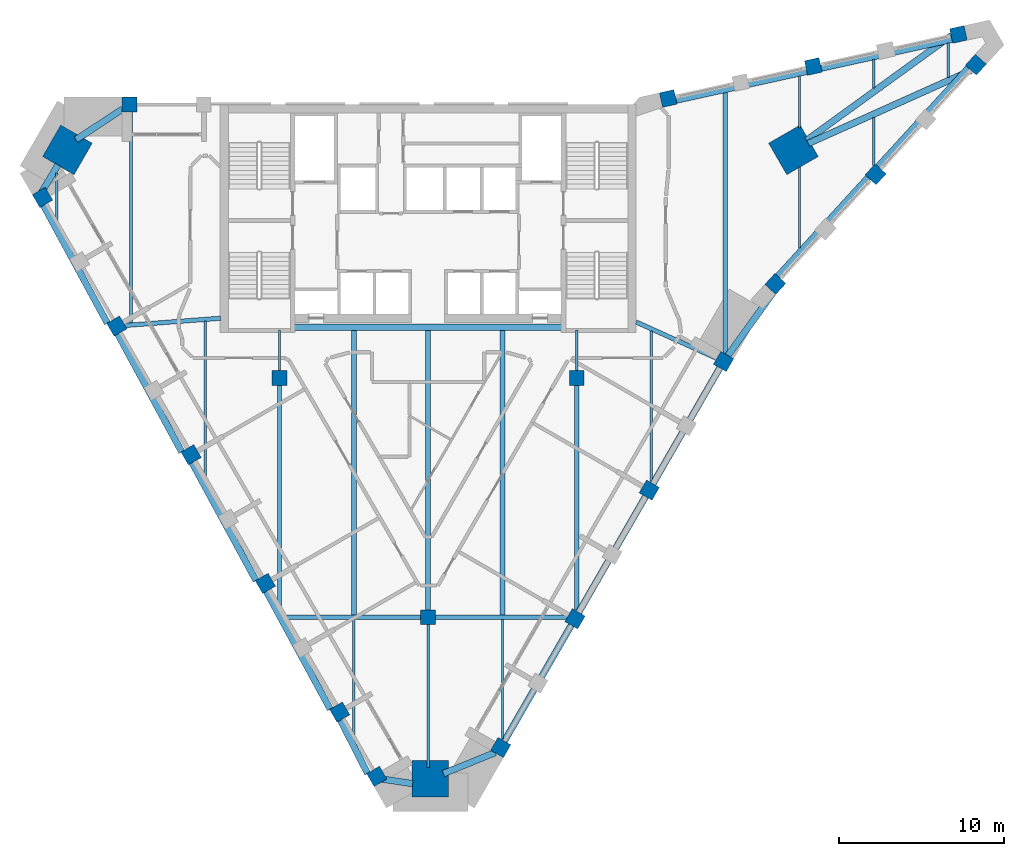
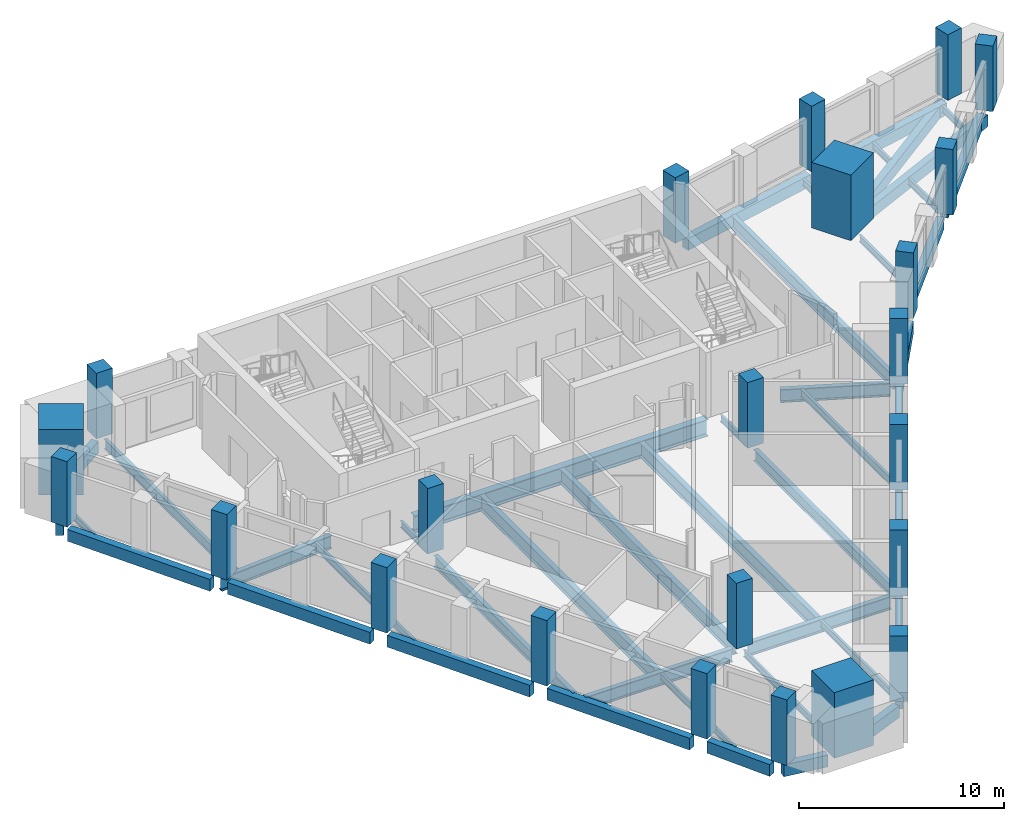
# One storey, part 1 of 8: 44 beams, 23 columns.
"""IFC4 building model written with IfcOpenShell, lengths in metres."""

from ifc_helpers import new_model, si_unit, direction, frame, origin, origin_2d, place, context, subcontext, project, spatial, rectangle, i_section, extrude, material, material_profile, profile_set, type_object, element, save


model = new_model("IFC4")

# Units and contexts
model_context = context("Model", 3, precision=1e-05, world=origin(), true_north=direction((0.0, 1.0)))
body_context = subcontext(model_context, "Body", "Model", "MODEL_VIEW")
ifc_project = project(units=[si_unit("LENGTHUNIT", "METRE"), si_unit("AREAUNIT", "SQUARE_METRE"), si_unit("VOLUMEUNIT", "CUBIC_METRE"), si_unit("PLANEANGLEUNIT", "RADIAN"), si_unit("MASSUNIT", "GRAM", prefix="KILO")], contexts=[model_context])

# Site, building, storey
site_placement = place(None, origin())
site = spatial("IfcSite", under=ifc_project, at=site_placement, CompositionType="ELEMENT")
building_placement = place(site_placement, origin())
building = spatial("IfcBuilding", under=site, at=building_placement, Name="Calabash Gate Tower", CompositionType="ELEMENT")
storey_placement = place(building_placement, frame((0.0, 0.0, 259.89990234375)))
storey = spatial("IfcBuildingStorey", under=building, at=storey_placement, Name="L62", CompositionType="ELEMENT", Elevation=259.89990234375)

# Columns
ifc_material_1 = material(Name="Concrete C60/75", Category="concrete")
ifc_material_profile_1 = material_profile(ifc_material_1, rectangle(XDim=0.89990234375, YDim=0.89990234375, at=origin_2d()))
ifc_profile_set_1 = profile_set([ifc_material_profile_1], Name="Concrete C60/75")
column_type_1 = type_object("IfcColumnType", Name="Interior column RC 900x900 Concrete C60/75", PredefinedType="COLUMN", material=ifc_profile_set_1)
for number, where, z_axis, x_axis, name in (
    (1, (-9.0, 2.5, 0.0), (0.0, 0.0, 1.0), (1.0, 0.0, 0.0), "Interior column L62 I0"),
    (2, (9.0, 2.5, 0.0), (0.0, 0.0, 1.0), (1.0, 0.0, 0.0), "Interior column L62 I1"),
    (3, (0.0, -12.0, 0.0), (0.0, 0.0, 1.0), (1.0, 0.0, 0.0), "Interior column L62 I2"),
):
    element("IfcColumn", number, at=place(storey_placement, frame(where, z_axis=z_axis, x_axis=x_axis)), inside=storey, type_object=column_type_1, Name=name, PredefinedType="COLUMN", context=body_context, shape_type="SweptSolid", body=[
        extrude(rectangle(XDim=0.89990234375, YDim=0.89990234375, at=origin_2d()), origin(), (0.0, 0.0, 1.0), 3.900146484375),
    ])
ifc_material_2 = material(Name="Concrete C60/75", Category="concrete")
ifc_material_profile_2 = material_profile(ifc_material_2, rectangle(XDim=2.199951171875, YDim=2.199951171875, at=origin_2d()))
ifc_profile_set_2 = profile_set([ifc_material_profile_2], Name="Concrete C60/75")
column_type_2 = type_object("IfcColumnType", Name="Mega column RC 2200x2200 Concrete C60/75", PredefinedType="COLUMN", material=ifc_profile_set_2)
for number, where, z_axis, x_axis, name in (
    (4, (-21.85302734375, 16.30810546875, 0.0), (0.0, 0.0, 1.0), (0.866025421238, -0.49999996977, 0.0), "Mega column L62 NW"),
    (5, (22.1279296875, 16.30810546875, 0.0), (0.0, 0.0, 1.0), (-0.866025421238, -0.49999996977, 0.0), "Mega column L62 NE"),
    (6, (0.136962890625, -21.781005859375, 0.0), (0.0, 0.0, 1.0), (0.0, 1.0, 0.0), "Mega column L62 S"),
):
    element("IfcColumn", number, at=place(storey_placement, frame(where, z_axis=z_axis, x_axis=x_axis)), inside=storey, type_object=column_type_2, Name=name, PredefinedType="COLUMN", context=body_context, shape_type="SweptSolid", body=[
        extrude(rectangle(XDim=2.199951171875, YDim=2.199951171875, at=origin_2d()), origin(), (0.0, 0.0, 1.0), 3.900146484375),
    ])
ifc_material_3 = material(Name="Concrete C50/60", Category="concrete")
ifc_material_profile_3 = material_profile(ifc_material_3, rectangle(XDim=0.89990234375, YDim=0.89990234375, at=origin_2d()))
ifc_profile_set_3 = profile_set([ifc_material_profile_3], Name="Concrete C50/60")
column_type_3 = type_object("IfcColumnType", Name="Perimeter column RC 900x900 Concrete C50/60", PredefinedType="COLUMN", material=ifc_profile_set_3)
for number, where, z_axis, x_axis, name in (
    (7, (-23.360107421875, 13.428955078125, 0.0), (0.0, 0.0, 1.0), (0.499999984885, -0.866025412511, 0.0), "Perimeter column L62 P20"),
    (8, (-18.860107421875, 5.634033203125, 0.0), (0.0, 0.0, 1.0), (0.499999984885, -0.866025412511, 0.0), "Perimeter column L62 P00"),
    (9, (-14.360107421875, -2.159912109375, 0.0), (0.0, 0.0, 1.0), (0.499999984885, -0.866025412511, 0.0), "Perimeter column L62 P01"),
    (10, (-9.860107421875, -9.9541015625, 0.0), (0.0, 0.0, 1.0), (0.499999984885, -0.866025412511, 0.0), "Perimeter column L62 P02"),
    (11, (-5.360107421875, -17.748046875, 0.0), (0.0, 0.0, 1.0), (0.499999984885, -0.866025412511, 0.0), "Perimeter column L62 P03"),
    (12, (-3.110107421875, -21.64306640625, 0.0), (0.0, 0.0, 1.0), (0.499999984885, -0.866025412511, 0.0), "Perimeter column L62 P25"),
    (13, (4.39599609375, -19.89306640625, 0.0), (0.0, 0.0, 1.0), (0.5, 0.866025403784, 0.0), "Perimeter column L62 P08"),
    (14, (8.89599609375, -12.097900390625, 0.0), (0.0, 0.0, 1.0), (0.5, 0.866025403784, 0.0), "Perimeter column L62 P09"),
    (15, (13.39599609375, -4.303955078125, 0.0), (0.0, 0.0, 1.0), (0.5, 0.866025403784, 0.0), "Perimeter column L62 P10"),
    (16, (17.89599609375, 3.489990234375, 0.0), (0.0, 0.0, 1.0), (0.5, 0.866025403784, 0.0), "Perimeter column L62 P11"),
    (17, (21.031005859375, 8.18701171875, 0.0), (0.0, 0.0, 1.0), (0.67485604152, 0.737949404244, 0.0), "Perimeter column L62 P12"),
    (18, (27.10400390625, 14.825927734375, 0.0), (0.0, 0.0, 1.0), (0.67485604152, 0.737949404244, 0.0), "Perimeter column L62 P36"),
    (19, (33.177978515625, 21.468017578125, 0.0), (0.0, 0.0, 1.0), (0.67485604152, 0.737949404244, 0.0), "Perimeter column L62 P37"),
    (20, (32.12109375, 23.298095703125, 0.0), (0.0, 0.0, 1.0), (-0.976510951543, -0.215467773731, 0.0), "Perimeter column L62 P38"),
    (21, (23.3330078125, 21.35888671875, 0.0), (0.0, 0.0, 1.0), (-0.976510951543, -0.215467773731, 0.0), "Perimeter column L62 P39"),
    (22, (14.5439453125, 19.4189453125, 0.0), (0.0, 0.0, 1.0), (-0.976510951543, -0.215467773731, 0.0), "Perimeter column L62 P40"),
    (23, (-18.089111328125, 19.052978515625, 0.0), (0.0, 0.0, 1.0), (-1.0, 0.0, 0.0), "Perimeter column L62 P31"),
):
    element("IfcColumn", number, at=place(storey_placement, frame(where, z_axis=z_axis, x_axis=x_axis)), inside=storey, type_object=column_type_3, Name=name, PredefinedType="COLUMN", context=body_context, shape_type="SweptSolid", body=[
        extrude(rectangle(XDim=0.89990234375, YDim=0.89990234375, at=origin_2d()), origin(), (0.0, 0.0, 1.0), 3.900146484375),
    ])

# Beams
ifc_material_4 = material(Name="Concrete C50/60", Category="concrete")
ifc_material_profile_4 = material_profile(ifc_material_4, rectangle(XDim=0.39990234375, YDim=0.699951171875, at=origin_2d()))
ifc_profile_set_4 = profile_set([ifc_material_profile_4], Name="Concrete C50/60")
beam_type_1 = type_object("IfcBeamType", Name="Edge beam RC 400x700 Concrete C50/60", PredefinedType="BEAM", material=ifc_profile_set_4)
beam_1_placement = place(storey_placement, frame((-14.30908203125, -2.623046875, -0.52001953125), z_axis=(0.477013821139, -0.878895792709, 0.0), x_axis=(0.878895792709, 0.477013821139, 0.0)))
element("IfcBeam", 24, at=beam_1_placement, inside=storey, type_object=beam_type_1, Name="Edge beam L62 1", PredefinedType="BEAM", context=body_context, shape_type="SweptSolid", body=[
    extrude(rectangle(XDim=0.39990234375, YDim=0.699951171875, at=origin_2d()), origin(), (0.0, 0.0, 1.0), 8.146484375),
])
beam_2_placement = place(storey_placement, frame((-9.80908203125, -10.4189453125, -0.52001953125), z_axis=(0.477001257127, -0.878902611612, 0.0), x_axis=(0.878902611612, 0.477001257127, 0.0)))
element("IfcBeam", 25, at=beam_2_placement, inside=storey, type_object=beam_type_1, Name="Edge beam L62 2", PredefinedType="BEAM", context=body_context, shape_type="SweptSolid", body=[
    extrude(rectangle(XDim=0.39990234375, YDim=0.699951171875, at=origin_2d()), origin(), (0.0, 0.0, 1.0), 8.146728515625),
])
beam_3_placement = place(storey_placement, frame((-5.319091796875, -18.218994140625, -0.52001953125), z_axis=(0.453784468292, -0.891111472453, 0.0), x_axis=(0.891111472453, 0.453784468292, 0.0)))
element("IfcBeam", 26, at=beam_3_placement, inside=storey, type_object=beam_type_1, Name="Edge beam L62 3", PredefinedType="BEAM", context=body_context, shape_type="SweptSolid", body=[
    extrude(rectangle(XDim=0.39990234375, YDim=0.699951171875, at=origin_2d()), origin(), (0.0, 0.0, 1.0), 3.6494140625),
])
beam_4_placement = place(storey_placement, frame((-3.23291015625, -21.739013671875, -0.52001953125), z_axis=(0.989022584295, -0.147764433319, 0.0), x_axis=(0.147764433319, 0.989022584295, 0.0)))
element("IfcBeam", 27, at=beam_4_placement, inside=storey, type_object=beam_type_1, Name="Edge beam L62 4", PredefinedType="BEAM", context=body_context, shape_type="SweptSolid", body=[
    extrude(rectangle(XDim=0.39990234375, YDim=0.699951171875, at=origin_2d()), origin(), (0.0, 0.0, 1.0), 2.3212890625),
])
beam_5_placement = place(storey_placement, frame((0.9208984375, -21.47705078125, -0.52001953125), z_axis=(0.926059754836, 0.377376907711, 0.0), x_axis=(-0.377376907711, 0.926059754836, 0.0)))
element("IfcBeam", 28, at=beam_5_placement, inside=storey, type_object=beam_type_1, Name="Edge beam L62 5", PredefinedType="BEAM", context=body_context, shape_type="SweptSolid", body=[
    extrude(rectangle(XDim=0.39990234375, YDim=0.699951171875, at=origin_2d()), origin(), (0.0, 0.0, 1.0), 3.391845703125),
])
beam_6_placement = place(storey_placement, frame((4.47705078125, -19.756103515625, -0.52001953125), z_axis=(0.499832936549, 0.86612183643, 0.0), x_axis=(-0.86612183643, 0.499832936549, 0.0)))
element("IfcBeam", 29, at=beam_6_placement, inside=storey, type_object=beam_type_1, Name="Edge beam L62 6", PredefinedType="BEAM", context=body_context, shape_type="SweptSolid", body=[
    extrude(rectangle(XDim=0.39990234375, YDim=0.699951171875, at=origin_2d()), origin(), (0.0, 0.0, 1.0), 8.4169921875),
])
beam_7_placement = place(storey_placement, frame((8.97705078125, -11.9619140625, -0.52001953125), z_axis=(0.499845494019, 0.866114589479, 0.0), x_axis=(-0.866114589479, 0.499845494019, 0.0)))
element("IfcBeam", 30, at=beam_7_placement, inside=storey, type_object=beam_type_1, Name="Edge beam L62 7", PredefinedType="BEAM", context=body_context, shape_type="SweptSolid", body=[
    extrude(rectangle(XDim=0.39990234375, YDim=0.699951171875, at=origin_2d()), origin(), (0.0, 0.0, 1.0), 8.416748046875),
])
beam_8_placement = place(storey_placement, frame((13.47705078125, -4.1669921875, -0.52001953125), z_axis=(0.499883169583, 0.866092845351, 0.0), x_axis=(-0.866092845351, 0.499883169583, 0.0)))
element("IfcBeam", 31, at=beam_8_placement, inside=storey, type_object=beam_type_1, Name="Edge beam L62 8", PredefinedType="BEAM", context=body_context, shape_type="SweptSolid", body=[
    extrude(rectangle(XDim=0.39990234375, YDim=0.699951171875, at=origin_2d()), origin(), (0.0, 0.0, 1.0), 8.416015625),
])
beam_9_placement = place(storey_placement, frame((17.990966796875, 3.6201171875, -0.52001953125), z_axis=(0.584247251905, 0.811575719599, 0.0), x_axis=(-0.811575719599, 0.584247251905, 0.0)))
element("IfcBeam", 32, at=beam_9_placement, inside=storey, type_object=beam_type_1, Name="Edge beam L62 9", PredefinedType="BEAM", context=body_context, shape_type="SweptSolid", body=[
    extrude(rectangle(XDim=0.39990234375, YDim=0.699951171875, at=origin_2d()), origin(), (0.0, 0.0, 1.0), 5.035888671875),
])
beam_10_placement = place(storey_placement, frame((21.18701171875, 8.652099609375, -0.52001953125), z_axis=(0.674873802315, 0.737933161573, 0.0), x_axis=(-0.737933161573, 0.674873802315, 0.0)))
element("IfcBeam", 33, at=beam_10_placement, inside=storey, type_object=beam_type_1, Name="Edge beam L62 10", PredefinedType="BEAM", context=body_context, shape_type="SweptSolid", body=[
    extrude(rectangle(XDim=0.39990234375, YDim=0.699951171875, at=origin_2d()), origin(), (0.0, 0.0, 1.0), 8.099365234375),
])
beam_11_placement = place(storey_placement, frame((27.260009765625, 15.29296875, -0.52001953125), z_axis=(0.67486440312, 0.737941757459, 0.0), x_axis=(-0.737941757459, 0.67486440312, 0.0)))
element("IfcBeam", 34, at=beam_11_placement, inside=storey, type_object=beam_type_1, Name="Edge beam L62 11", PredefinedType="BEAM", context=body_context, shape_type="SweptSolid", body=[
    extrude(rectangle(XDim=0.39990234375, YDim=0.699951171875, at=origin_2d()), origin(), (0.0, 0.0, 1.0), 8.100830078125),
])
beam_12_placement = place(storey_placement, frame((32.902099609375, 21.126953125, -0.52001953125), z_axis=(-0.91234672257, -0.409418438539, 0.0), x_axis=(0.409418438539, -0.91234672257, 0.0)))
element("IfcBeam", 35, at=beam_12_placement, inside=storey, type_object=beam_type_1, Name="Edge beam L62 12", PredefinedType="BEAM", context=body_context, shape_type="SweptSolid", body=[
    extrude(rectangle(XDim=0.39990234375, YDim=0.699951171875, at=origin_2d()), origin(), (0.0, 0.0, 1.0), 10.8271484375),
])
beam_13_placement = place(storey_placement, frame((22.9169921875, 16.8798828125, -0.52001953125), z_axis=(0.80994802029, 0.586501666177, 0.0), x_axis=(-0.586501666177, 0.80994802029, 0.0)))
element("IfcBeam", 36, at=beam_13_placement, inside=storey, type_object=beam_type_1, Name="Edge beam L62 13", PredefinedType="BEAM", context=body_context, shape_type="SweptSolid", body=[
    extrude(rectangle(XDim=0.39990234375, YDim=0.699951171875, at=origin_2d()), origin(), (0.0, 0.0, 1.0), 10.847412109375),
])
beam_14_placement = place(storey_placement, frame((31.72705078125, 23.006103515625, -0.52001953125), z_axis=(-0.976492437334, -0.215551663945, 0.0), x_axis=(0.215551663945, -0.976492437334, 0.0)))
element("IfcBeam", 37, at=beam_14_placement, inside=storey, type_object=beam_type_1, Name="Edge beam L62 14", PredefinedType="BEAM", context=body_context, shape_type="SweptSolid", body=[
    extrude(rectangle(XDim=0.39990234375, YDim=0.699951171875, at=origin_2d()), origin(), (0.0, 0.0, 1.0), 8.1005859375),
])
beam_15_placement = place(storey_placement, frame((22.93603515625, 21.06591796875, -0.52001953125), z_axis=(-0.976517152373, -0.215439669332, 0.0), x_axis=(0.215439669332, -0.976517152373, 0.0)))
element("IfcBeam", 38, at=beam_15_placement, inside=storey, type_object=beam_type_1, Name="Edge beam L62 15", PredefinedType="BEAM", context=body_context, shape_type="SweptSolid", body=[
    extrude(rectangle(XDim=0.39990234375, YDim=0.699951171875, at=origin_2d()), origin(), (0.0, 0.0, 1.0), 8.09912109375),
])
beam_16_placement = place(storey_placement, frame((-18.512939453125, 18.780029296875, -0.52001953125), z_axis=(-0.834845571954, -0.550484215022, 0.0), x_axis=(0.550484215022, -0.834845571954, 0.0)))
element("IfcBeam", 39, at=beam_16_placement, inside=storey, type_object=beam_type_1, Name="Edge beam L62 16", PredefinedType="BEAM", context=body_context, shape_type="SweptSolid", body=[
    extrude(rectangle(XDim=0.39990234375, YDim=0.699951171875, at=origin_2d()), origin(), (0.0, 0.0, 1.0), 3.373291015625),
])
beam_17_placement = place(storey_placement, frame((-22.419921875, 15.39990234375, -0.52001953125), z_axis=(-0.512127778976, -0.858909272276, 0.0), x_axis=(0.858909272276, -0.512127778976, 0.0)))
element("IfcBeam", 40, at=beam_17_placement, inside=storey, type_object=beam_type_1, Name="Edge beam L62 17", PredefinedType="BEAM", context=body_context, shape_type="SweptSolid", body=[
    extrude(rectangle(XDim=0.39990234375, YDim=0.699951171875, at=origin_2d()), origin(), (0.0, 0.0, 1.0), 2.245849609375),
])
for number, where, z_axis, x_axis, name in (
    (41, (-23.30908203125, 12.962890625, -0.52001953125), (0.477013821139, -0.878895792709, 0.0), (0.878895792709, 0.477013821139, 0.0), "Edge beam L62 18"),
    (42, (-18.80908203125, 5.1689453125, -0.52001953125), (0.477013821139, -0.878895792709, 0.0), (0.878895792709, 0.477013821139, 0.0), "Edge beam L62 19"),
):
    element("IfcBeam", number, at=place(storey_placement, frame(where, z_axis=z_axis, x_axis=x_axis)), inside=storey, type_object=beam_type_1, Name=name, PredefinedType="BEAM", context=body_context, shape_type="SweptSolid", body=[
        extrude(rectangle(XDim=0.39990234375, YDim=0.699951171875, at=origin_2d()), origin(), (0.0, 0.0, 1.0), 8.146484375),
    ])
ifc_material_5 = material(Name="Steel ASTM A992 Gr50", Category="steel")
ifc_material_profile_5 = material_profile(ifc_material_5, i_section(OverallWidth=0.1396484375, OverallDepth=0.398681640625, WebThickness=0.00634765625, FlangeThickness=0.0087890625, FilletRadius=0.01025390625, at=origin_2d()))
ifc_profile_set_5 = profile_set([ifc_material_profile_5], Name="Steel ASTM A992 Gr50")
beam_type_2 = type_object("IfcBeamType", Name="Floor beam W16x26 ASTM A992 Gr50", PredefinedType="BEAM", material=ifc_profile_set_5)
beam_18_placement = place(storey_placement, frame((-22.5, 11.867919921875, -0.368896484375), z_axis=(0.0, 1.0, 0.0), x_axis=(-1.0, 0.0, 0.0)))
element("IfcBeam", 43, at=beam_18_placement, inside=storey, type_object=beam_type_2, Name="Floor beam L62 1", PredefinedType="BEAM", context=body_context, shape_type="SweptSolid", body=[
    extrude(i_section(OverallWidth=0.1396484375, OverallDepth=0.398681640625, WebThickness=0.00634765625, FlangeThickness=0.0087890625, FilletRadius=0.01025390625, at=origin_2d()), origin(), (0.0, 0.0, 1.0), 3.029052734375),
])
beam_19_placement = place(storey_placement, frame((-9.0, 2.949951171875, -0.368896484375), z_axis=(0.0, 1.0, 0.0), x_axis=(-1.0, 0.0, 0.0)))
element("IfcBeam", 44, at=beam_19_placement, inside=storey, type_object=beam_type_2, Name="Floor beam L62 5", PredefinedType="BEAM", context=body_context, shape_type="SweptSolid", body=[
    extrude(i_section(OverallWidth=0.1396484375, OverallDepth=0.398681640625, WebThickness=0.00634765625, FlangeThickness=0.0087890625, FilletRadius=0.01025390625, at=origin_2d()), origin(), (0.0, 0.0, 1.0), 2.453125),
])
beam_20_placement = place(storey_placement, frame((-4.5, -19.408935546875, -0.368896484375), z_axis=(0.0, 1.0, 0.0), x_axis=(-1.0, 0.0, 0.0)))
element("IfcBeam", 45, at=beam_20_placement, inside=storey, type_object=beam_type_2, Name="Floor beam L62 6", PredefinedType="BEAM", context=body_context, shape_type="SweptSolid", body=[
    extrude(i_section(OverallWidth=0.1396484375, OverallDepth=0.398681640625, WebThickness=0.00634765625, FlangeThickness=0.0087890625, FilletRadius=0.01025390625, at=origin_2d()), origin(), (0.0, 0.0, 1.0), 7.27587890625),
])
beam_21_placement = place(storey_placement, frame((0.0, -21.093017578125, -0.368896484375), z_axis=(0.0, 1.0, 0.0), x_axis=(-1.0, 0.0, 0.0)))
element("IfcBeam", 46, at=beam_21_placement, inside=storey, type_object=beam_type_2, Name="Floor beam L62 8", PredefinedType="BEAM", context=body_context, shape_type="SweptSolid", body=[
    extrude(i_section(OverallWidth=0.1396484375, OverallDepth=0.398681640625, WebThickness=0.00634765625, FlangeThickness=0.0087890625, FilletRadius=0.01025390625, at=origin_2d()), origin(), (0.0, 0.0, 1.0), 8.64306640625),
])
beam_22_placement = place(storey_placement, frame((4.5, -19.343017578125, -0.368896484375), z_axis=(0.0, 1.0, 0.0), x_axis=(-1.0, 0.0, 0.0)))
element("IfcBeam", 47, at=beam_22_placement, inside=storey, type_object=beam_type_2, Name="Floor beam L62 10", PredefinedType="BEAM", context=body_context, shape_type="SweptSolid", body=[
    extrude(i_section(OverallWidth=0.1396484375, OverallDepth=0.398681640625, WebThickness=0.00634765625, FlangeThickness=0.0087890625, FilletRadius=0.01025390625, at=origin_2d()), origin(), (0.0, 0.0, 1.0), 7.2099609375),
])
beam_23_placement = place(storey_placement, frame((9.0, 2.949951171875, -0.368896484375), z_axis=(0.0, 1.0, 0.0), x_axis=(-1.0, 0.0, 0.0)))
element("IfcBeam", 48, at=beam_23_placement, inside=storey, type_object=beam_type_2, Name="Floor beam L62 13", PredefinedType="BEAM", context=body_context, shape_type="SweptSolid", body=[
    extrude(i_section(OverallWidth=0.1396484375, OverallDepth=0.398681640625, WebThickness=0.00634765625, FlangeThickness=0.0087890625, FilletRadius=0.01025390625, at=origin_2d()), origin(), (0.0, 0.0, 1.0), 2.453125),
])
beam_24_placement = place(storey_placement, frame((22.5, 10.3720703125, -0.368896484375), z_axis=(0.0, 1.0, 0.0), x_axis=(-1.0, 0.0, 0.0)))
element("IfcBeam", 49, at=beam_24_placement, inside=storey, type_object=beam_type_2, Name="Floor beam L62 16", PredefinedType="BEAM", context=body_context, shape_type="SweptSolid", body=[
    extrude(i_section(OverallWidth=0.1396484375, OverallDepth=0.398681640625, WebThickness=0.00634765625, FlangeThickness=0.0087890625, FilletRadius=0.01025390625, at=origin_2d()), origin(), (0.0, 0.0, 1.0), 4.89501953125),
])
beam_25_placement = place(storey_placement, frame((22.5, 17.635986328125, -0.368896484375), z_axis=(0.0, 1.0, 0.0), x_axis=(-1.0, 0.0, 0.0)))
element("IfcBeam", 50, at=beam_25_placement, inside=storey, type_object=beam_type_2, Name="Floor beam L62 17", PredefinedType="BEAM", context=body_context, shape_type="SweptSolid", body=[
    extrude(i_section(OverallWidth=0.1396484375, OverallDepth=0.398681640625, WebThickness=0.00634765625, FlangeThickness=0.0087890625, FilletRadius=0.01025390625, at=origin_2d()), origin(), (0.0, 0.0, 1.0), 3.1611328125),
])
beam_26_placement = place(storey_placement, frame((27.0, 15.35693359375, -0.368896484375), z_axis=(0.0, 1.0, 0.0), x_axis=(-1.0, 0.0, 0.0)))
element("IfcBeam", 51, at=beam_26_placement, inside=storey, type_object=beam_type_2, Name="Floor beam L62 18", PredefinedType="BEAM", context=body_context, shape_type="SweptSolid", body=[
    extrude(i_section(OverallWidth=0.1396484375, OverallDepth=0.398681640625, WebThickness=0.00634765625, FlangeThickness=0.0087890625, FilletRadius=0.01025390625, at=origin_2d()), origin(), (0.0, 0.0, 1.0), 2.923095703125),
])
beam_27_placement = place(storey_placement, frame((27.0, 20.052001953125, -0.368896484375), z_axis=(0.0, 1.0, 0.0), x_axis=(-1.0, 0.0, 0.0)))
element("IfcBeam", 52, at=beam_27_placement, inside=storey, type_object=beam_type_2, Name="Floor beam L62 19", PredefinedType="BEAM", context=body_context, shape_type="SweptSolid", body=[
    extrude(i_section(OverallWidth=0.1396484375, OverallDepth=0.398681640625, WebThickness=0.00634765625, FlangeThickness=0.0087890625, FilletRadius=0.01025390625, at=origin_2d()), origin(), (0.0, 0.0, 1.0), 1.738037109375),
])
beam_28_placement = place(storey_placement, frame((31.5, 20.693115234375, -0.368896484375), z_axis=(0.0, 1.0, 0.0), x_axis=(-1.0, 0.0, 0.0)))
element("IfcBeam", 53, at=beam_28_placement, inside=storey, type_object=beam_type_2, Name="Floor beam L62 20", PredefinedType="BEAM", context=body_context, shape_type="SweptSolid", body=[
    extrude(i_section(OverallWidth=0.1396484375, OverallDepth=0.398681640625, WebThickness=0.00634765625, FlangeThickness=0.0087890625, FilletRadius=0.01025390625, at=origin_2d()), origin(), (0.0, 0.0, 1.0), 2.08984375),
])
ifc_material_6 = material(Name="Steel ASTM A992 Gr50", Category="steel")
ifc_material_profile_6 = material_profile(ifc_material_6, i_section(OverallWidth=0.15234375, OverallDepth=0.44970703125, WebThickness=0.007568359375, FlangeThickness=0.0107421875, FilletRadius=0.01025390625, at=origin_2d()))
ifc_profile_set_6 = profile_set([ifc_material_profile_6], Name="Steel ASTM A992 Gr50")
beam_type_3 = type_object("IfcBeamType", Name="Floor beam W18x35 ASTM A992 Gr50", PredefinedType="BEAM", material=ifc_profile_set_6)
beam_29_placement = place(storey_placement, frame((-13.5, -3.720947265625, -0.392822265625), z_axis=(0.0, 1.0, 0.0), x_axis=(-1.0, 0.0, 0.0)))
element("IfcBeam", 54, at=beam_29_placement, inside=storey, type_object=beam_type_3, Name="Floor beam L62 3", PredefinedType="BEAM", context=body_context, shape_type="SweptSolid", body=[
    extrude(i_section(OverallWidth=0.15234375, OverallDepth=0.44970703125, WebThickness=0.007568359375, FlangeThickness=0.0107421875, FilletRadius=0.01025390625, at=origin_2d()), origin(), (0.0, 0.0, 1.0), 9.64892578125),
])
beam_30_placement = place(storey_placement, frame((13.5, -3.757080078125, -0.392822265625), z_axis=(0.0, 1.0, 0.0), x_axis=(-1.0, 0.0, 0.0)))
element("IfcBeam", 55, at=beam_30_placement, inside=storey, type_object=beam_type_3, Name="Floor beam L62 14", PredefinedType="BEAM", context=body_context, shape_type="SweptSolid", body=[
    extrude(i_section(OverallWidth=0.15234375, OverallDepth=0.44970703125, WebThickness=0.007568359375, FlangeThickness=0.0107421875, FilletRadius=0.01025390625, at=origin_2d()), origin(), (0.0, 0.0, 1.0), 9.108154296875),
])
ifc_material_7 = material(Name="Steel ASTM A992 Gr50", Category="steel")
ifc_material_profile_7 = material_profile(ifc_material_7, i_section(OverallWidth=0.1787109375, OverallDepth=0.60205078125, WebThickness=0.010986328125, FlangeThickness=0.014892578125, FilletRadius=0.0126953125, at=origin_2d()))
ifc_profile_set_7 = profile_set([ifc_material_profile_7], Name="Steel ASTM A992 Gr50")
beam_type_4 = type_object("IfcBeamType", Name="Floor beam W24x62 ASTM A992 Gr50", PredefinedType="BEAM", material=ifc_profile_set_7)
beam_31_placement = place(storey_placement, frame((-18.0, 5.81103515625, -0.470947265625), z_axis=(0.0, 1.0, 0.0), x_axis=(-1.0, 0.0, 0.0)))
element("IfcBeam", 56, at=beam_31_placement, inside=storey, type_object=beam_type_4, Name="Floor beam L62 2", PredefinedType="BEAM", context=body_context, shape_type="SweptSolid", body=[
    extrude(i_section(OverallWidth=0.1787109375, OverallDepth=0.60205078125, WebThickness=0.010986328125, FlangeThickness=0.014892578125, FilletRadius=0.0126953125, at=origin_2d()), origin(), (0.0, 0.0, 1.0), 12.825927734375),
])
ifc_material_8 = material(Name="Steel ASTM A992 Gr50", Category="steel")
ifc_material_profile_8 = material_profile(ifc_material_8, i_section(OverallWidth=0.25390625, OverallDepth=0.67822265625, WebThickness=0.01171875, FlangeThickness=0.016357421875, FilletRadius=0.01513671875, at=origin_2d()))
ifc_profile_set_8 = profile_set([ifc_material_profile_8], Name="Steel ASTM A992 Gr50")
beam_type_5 = type_object("IfcBeamType", Name="Floor beam W27x84 ASTM A992 Gr50", PredefinedType="BEAM", material=ifc_profile_set_8)
beam_32_placement = place(storey_placement, frame((-9.0, -11.512939453125, -0.5087890625), z_axis=(0.0, 1.0, 0.0), x_axis=(-1.0, 0.0, 0.0)))
element("IfcBeam", 57, at=beam_32_placement, inside=storey, type_object=beam_type_5, Name="Floor beam L62 4", PredefinedType="BEAM", context=body_context, shape_type="SweptSolid", body=[
    extrude(i_section(OverallWidth=0.25390625, OverallDepth=0.67822265625, WebThickness=0.01171875, FlangeThickness=0.016357421875, FilletRadius=0.01513671875, at=origin_2d()), origin(), (0.0, 0.0, 1.0), 13.56298828125),
])
beam_33_placement = place(storey_placement, frame((9.0, -11.551025390625, -0.5087890625), z_axis=(0.0, 1.0, 0.0), x_axis=(-1.0, 0.0, 0.0)))
element("IfcBeam", 58, at=beam_33_placement, inside=storey, type_object=beam_type_5, Name="Floor beam L62 12", PredefinedType="BEAM", context=body_context, shape_type="SweptSolid", body=[
    extrude(i_section(OverallWidth=0.25390625, OverallDepth=0.67822265625, WebThickness=0.01171875, FlangeThickness=0.016357421875, FilletRadius=0.01513671875, at=origin_2d()), origin(), (0.0, 0.0, 1.0), 13.60107421875),
])
ifc_material_9 = material(Name="Steel ASTM A992 Gr50", Category="steel")
ifc_material_profile_9 = material_profile(ifc_material_9, i_section(OverallWidth=0.2666015625, OverallDepth=0.7568359375, WebThickness=0.013916015625, FlangeThickness=0.019287109375, FilletRadius=0.0166015625, at=origin_2d()))
ifc_profile_set_9 = profile_set([ifc_material_profile_9], Name="Steel ASTM A992 Gr50")
beam_type_6 = type_object("IfcBeamType", Name="Floor beam W30x108 ASTM A992 Gr50", PredefinedType="BEAM", material=ifc_profile_set_9)
beam_34_placement = place(storey_placement, frame((18.0, 3.95703125, -0.5478515625), z_axis=(0.0, 1.0, 0.0), x_axis=(-1.0, 0.0, 0.0)))
element("IfcBeam", 59, at=beam_34_placement, inside=storey, type_object=beam_type_6, Name="Floor beam L62 15", PredefinedType="BEAM", context=body_context, shape_type="SweptSolid", body=[
    extrude(i_section(OverallWidth=0.2666015625, OverallDepth=0.7568359375, WebThickness=0.013916015625, FlangeThickness=0.019287109375, FilletRadius=0.0166015625, at=origin_2d()), origin(), (0.0, 0.0, 1.0), 15.846923828125),
])
ifc_material_10 = material(Name="Steel ASTM A992 Gr50", Category="steel")
ifc_material_profile_10 = material_profile(ifc_material_10, i_section(OverallWidth=0.2919921875, OverallDepth=0.845703125, WebThickness=0.015380859375, FlangeThickness=0.0244140625, FilletRadius=0.017822265625, at=origin_2d()))
ifc_profile_set_10 = profile_set([ifc_material_profile_10], Name="Steel ASTM A992 Gr50")
beam_type_7 = type_object("IfcBeamType", Name="Floor beam W33x141 ASTM A992 Gr50", PredefinedType="BEAM", material=ifc_profile_set_10)
beam_35_placement = place(storey_placement, frame((-4.5, -11.866943359375, -0.593017578125), z_axis=(0.0, 1.0, 0.0), x_axis=(-1.0, 0.0, 0.0)))
element("IfcBeam", 60, at=beam_35_placement, inside=storey, type_object=beam_type_7, Name="Floor beam L62 7", PredefinedType="BEAM", context=body_context, shape_type="SweptSolid", body=[
    extrude(i_section(OverallWidth=0.2919921875, OverallDepth=0.845703125, WebThickness=0.015380859375, FlangeThickness=0.0244140625, FilletRadius=0.017822265625, at=origin_2d()), origin(), (0.0, 0.0, 1.0), 17.218994140625),
])
beam_36_placement = place(storey_placement, frame((0.0, -11.550048828125, -0.593017578125), z_axis=(0.0, 1.0, 0.0), x_axis=(-1.0, 0.0, 0.0)))
element("IfcBeam", 61, at=beam_36_placement, inside=storey, type_object=beam_type_7, Name="Floor beam L62 9", PredefinedType="BEAM", context=body_context, shape_type="SweptSolid", body=[
    extrude(i_section(OverallWidth=0.2919921875, OverallDepth=0.845703125, WebThickness=0.015380859375, FlangeThickness=0.0244140625, FilletRadius=0.017822265625, at=origin_2d()), origin(), (0.0, 0.0, 1.0), 16.902099609375),
])
beam_37_placement = place(storey_placement, frame((4.5, -11.866943359375, -0.593017578125), z_axis=(0.0, 1.0, 0.0), x_axis=(-1.0, 0.0, 0.0)))
element("IfcBeam", 62, at=beam_37_placement, inside=storey, type_object=beam_type_7, Name="Floor beam L62 11", PredefinedType="BEAM", context=body_context, shape_type="SweptSolid", body=[
    extrude(i_section(OverallWidth=0.2919921875, OverallDepth=0.845703125, WebThickness=0.015380859375, FlangeThickness=0.0244140625, FilletRadius=0.017822265625, at=origin_2d()), origin(), (0.0, 0.0, 1.0), 17.218994140625),
])
ifc_material_11 = material(Name="Steel ASTM A992 Gr50", Category="steel")
ifc_material_profile_11 = material_profile(ifc_material_11, i_section(OverallWidth=0.2666015625, OverallDepth=0.77978515625, WebThickness=0.0166015625, FlangeThickness=0.030029296875, FilletRadius=0.0166015625, at=origin_2d()))
ifc_profile_set_11 = profile_set([ifc_material_profile_11], Name="Steel ASTM A992 Gr50")
beam_type_8 = type_object("IfcBeamType", Name="Girder W30x148 ASTM A992 Gr50", PredefinedType="BEAM", material=ifc_profile_set_11)
beam_38_placement = place(storey_placement, frame((-19.0419921875, 5.62109375, -0.559814453125), z_axis=(0.997159273093, 0.075321869895, 0.0), x_axis=(-0.075321869895, 0.997159273093, 0.0)))
element("IfcBeam", 63, at=beam_38_placement, inside=storey, type_object=beam_type_8, Name="Girder L62 2", PredefinedType="BEAM", context=body_context, shape_type="SweptSolid", body=[
    extrude(i_section(OverallWidth=0.2666015625, OverallDepth=0.77978515625, WebThickness=0.0166015625, FlangeThickness=0.030029296875, FilletRadius=0.0166015625, at=origin_2d()), origin(), (0.0, 0.0, 1.0), 6.492431640625),
])
beam_39_placement = place(storey_placement, frame((17.512939453125, 3.6630859375, -0.559814453125), z_axis=(-0.911350322238, 0.411631619481, 0.0), x_axis=(-0.411631619481, -0.911350322238, 0.0)))
element("IfcBeam", 64, at=beam_39_placement, inside=storey, type_object=beam_type_8, Name="Girder L62 3", PredefinedType="BEAM", context=body_context, shape_type="SweptSolid", body=[
    extrude(i_section(OverallWidth=0.2666015625, OverallDepth=0.77978515625, WebThickness=0.0166015625, FlangeThickness=0.030029296875, FilletRadius=0.0166015625, at=origin_2d()), origin(), (0.0, 0.0, 1.0), 5.390625),
])
beam_40_placement = place(storey_placement, frame((-8.748046875, -12.0, -0.559814453125), z_axis=(1.0, 0.0, 0.0), x_axis=(0.0, 1.0, 0.0)))
element("IfcBeam", 65, at=beam_40_placement, inside=storey, type_object=beam_type_8, Name="Girder L62 4", PredefinedType="BEAM", context=body_context, shape_type="SweptSolid", body=[
    extrude(i_section(OverallWidth=0.2666015625, OverallDepth=0.77978515625, WebThickness=0.0166015625, FlangeThickness=0.030029296875, FilletRadius=0.0166015625, at=origin_2d()), origin(), (0.0, 0.0, 1.0), 8.298095703125),
])
beam_41_placement = place(storey_placement, frame((0.449951171875, -12.0, -0.559814453125), z_axis=(1.0, 0.0, 0.0), x_axis=(0.0, 1.0, 0.0)))
element("IfcBeam", 66, at=beam_41_placement, inside=storey, type_object=beam_type_8, Name="Girder L62 5", PredefinedType="BEAM", context=body_context, shape_type="SweptSolid", body=[
    extrude(i_section(OverallWidth=0.2666015625, OverallDepth=0.77978515625, WebThickness=0.0166015625, FlangeThickness=0.030029296875, FilletRadius=0.0166015625, at=origin_2d()), origin(), (0.0, 0.0, 1.0), 8.01611328125),
])
ifc_material_12 = material(Name="Steel ASTM A992 Gr50", Category="steel")
ifc_material_profile_12 = material_profile(ifc_material_12, i_section(OverallWidth=0.4013671875, OverallDepth=1.000732421875, WebThickness=0.01904296875, FlangeThickness=0.0361328125, FilletRadius=0.030029296875, at=origin_2d()))
ifc_profile_set_12 = profile_set([ifc_material_profile_12], Name="Steel ASTM A992 Gr50")
beam_type_9 = type_object("IfcBeamType", Name="Girder W40x249 ASTM A992 Gr50", PredefinedType="BEAM", material=ifc_profile_set_12)
beam_42_placement = place(storey_placement, frame((-8.25, 5.552978515625, -0.669921875), z_axis=(1.0, 0.0, 0.0), x_axis=(0.0, 1.0, 0.0)))
element("IfcBeam", 67, at=beam_42_placement, inside=storey, type_object=beam_type_9, Name="Girder L62 1", PredefinedType="BEAM", context=body_context, shape_type="SweptSolid", body=[
    extrude(i_section(OverallWidth=0.4013671875, OverallDepth=1.000732421875, WebThickness=0.01904296875, FlangeThickness=0.0361328125, FilletRadius=0.030029296875, at=origin_2d()), origin(), (0.0, 0.0, 1.0), 16.5),
])

save(model, "model.ifc")
